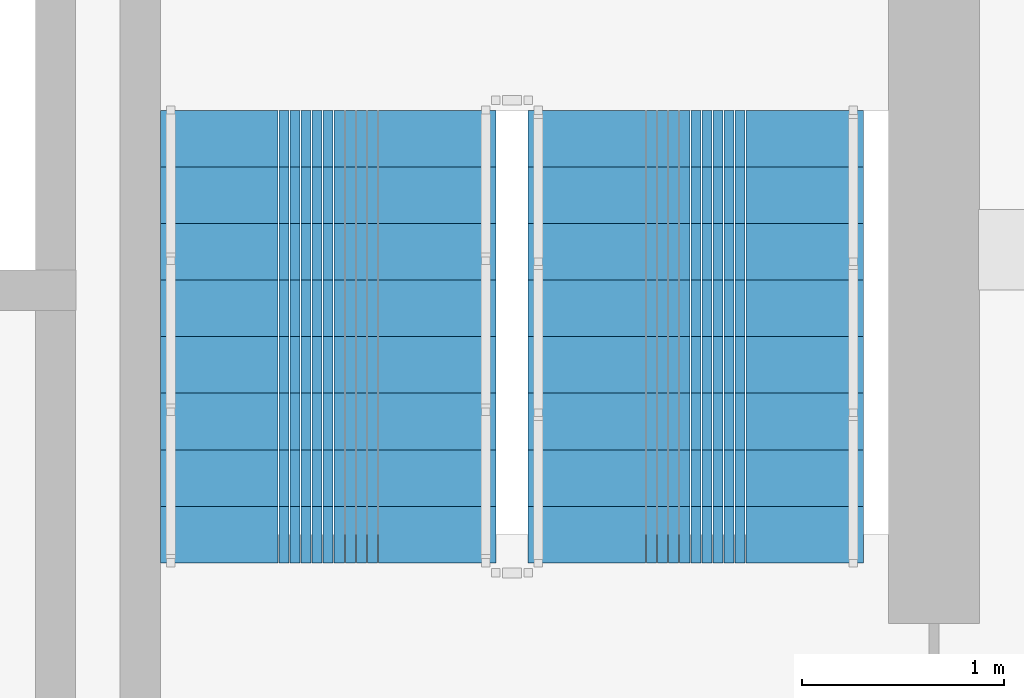
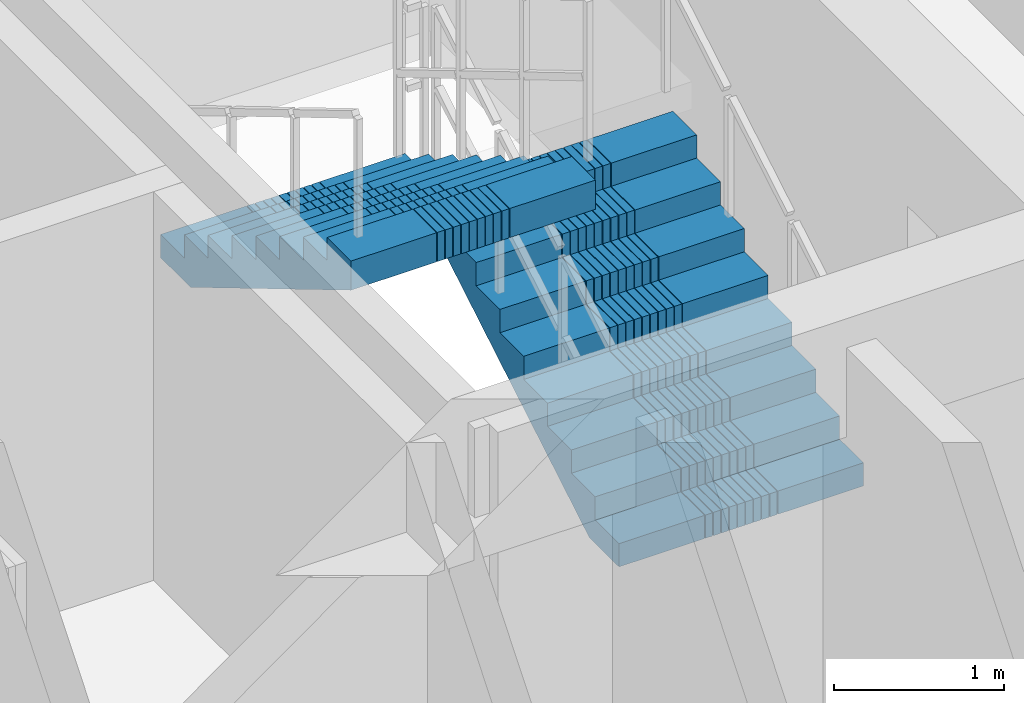
# One storey, part 7 of 12: 2 stair flights, 1 element without a shape of its own.
"""IFC4 building model written with IfcOpenShell, lengths in metres."""

from ifc_helpers import new_model, si_unit, direction, frame, origin, place, context, subcontext, project, spatial, polyline, outline, extrude, material, type_object, element, aggregate, save


model = new_model("IFC4")

# Units and contexts
model_context = context("Model", 3, precision=1e-05, world=origin(), true_north=direction((0.0, 1.0)))
body_context = subcontext(model_context, "Body", "Model", "MODEL_VIEW")
ifc_project = project(units=[si_unit("LENGTHUNIT", "METRE"), si_unit("AREAUNIT", "SQUARE_METRE"), si_unit("VOLUMEUNIT", "CUBIC_METRE"), si_unit("PLANEANGLEUNIT", "RADIAN"), si_unit("MASSUNIT", "GRAM", prefix="KILO")], contexts=[model_context])

# Site, building, storey
site_placement = place(None, origin())
site = spatial("IfcSite", under=ifc_project, at=site_placement, CompositionType="ELEMENT")
building_placement = place(site_placement, origin())
building = spatial("IfcBuilding", under=site, at=building_placement, Name="Saelheon Loggia Tower", CompositionType="ELEMENT")
storey_placement = place(building_placement, frame((0.0, 0.0, 243.0)))
storey = spatial("IfcBuildingStorey", under=building, at=storey_placement, Name="L75", CompositionType="ELEMENT", Elevation=243.0)

# Stair, stair flights
ifc_material = material(Name="Concrete C40/50", Category="concrete")
stair_type = type_object("IfcStairType", Name="Stair_Escape_Core", PredefinedType="HALF_TURN_STAIR", material=ifc_material)
stair_placement = place(storey_placement, origin())
stair = element("IfcStair", 1, at=stair_placement, inside=storey, type_object=stair_type, Name="L75 Special Escape Stair ST2", PredefinedType="HALF_TURN_STAIR")
stair_flight_type = type_object("IfcStairFlightType", Name="StairFlight_Tower_1660", PredefinedType="STRAIGHT", material=ifc_material)
stair_flight_1_placement = place(storey_placement, frame((43.320068359375, 30.449951171875, 0.0), z_axis=(0.0, 0.0, 1.0), x_axis=(0.0, 1.0, 0.0)))
stair_flight_1 = element("IfcStairFlight", 2, at=stair_flight_1_placement, type_object=stair_flight_type, Name="ST2 flight 1", NumberOfRisers=9, NumberOfTreads=8, PredefinedType="STRAIGHT", RiserHeight=0.166666667, TreadLength=0.28, context=body_context, shape_type="SweptSolid", body=[
    extrude(outline(polyline([(0.0, 0.0), (0.0, 0.166748046875), (0.280029296875, 0.166748046875), (0.280029296875, 0.333251953125), (0.56005859375, 0.333251953125), (0.56005859375, 0.5), (0.840087890625, 0.5), (0.840087890625, 0.666748046875), (1.1201171875, 0.666748046875), (1.1201171875, 0.833251953125), (1.39990234375, 0.833251953125), (1.39990234375, 1.0), (1.679931640625, 1.0), (1.679931640625, 1.166748046875), (1.9599609375, 1.166748046875), (1.9599609375, 1.333251953125), (2.239990234375, 1.333251953125), (2.239990234375, 1.5), (2.239990234375, 1.1240234375), (0.351806640625, 0.0), (0.0, 0.0)])), frame((0.0, -0.2490234375, 0.0), z_axis=(0.0, -1.0, 0.0), x_axis=(1.0, 0.0, 0.0)), (0.0, 0.0, 1.0), 0.5810546875),
    extrude(outline(polyline([(0.0, 0.0), (0.0, 0.166748046875), (0.280029296875, 0.166748046875), (0.280029296875, 0.333251953125), (0.56005859375, 0.333251953125), (0.56005859375, 0.5), (0.840087890625, 0.5), (0.840087890625, 0.666748046875), (1.1201171875, 0.666748046875), (1.1201171875, 0.833251953125), (1.39990234375, 0.833251953125), (1.39990234375, 1.0), (1.679931640625, 1.0), (1.679931640625, 1.166748046875), (1.9599609375, 1.166748046875), (1.9599609375, 1.333251953125), (2.239990234375, 1.333251953125), (2.239990234375, 1.5), (2.239990234375, 1.1240234375), (0.351806640625, 0.0), (0.0, 0.0)])), frame((0.0, -0.194091796875, 0.0), z_axis=(0.0, -1.0, 0.0), x_axis=(1.0, 0.0, 0.0)), (0.0, 0.0, 1.0), 0.0498046875),
    extrude(outline(polyline([(0.0, 0.0), (0.0, 0.166748046875), (0.280029296875, 0.166748046875), (0.280029296875, 0.333251953125), (0.56005859375, 0.333251953125), (0.56005859375, 0.5), (0.840087890625, 0.5), (0.840087890625, 0.666748046875), (1.1201171875, 0.666748046875), (1.1201171875, 0.833251953125), (1.39990234375, 0.833251953125), (1.39990234375, 1.0), (1.679931640625, 1.0), (1.679931640625, 1.166748046875), (1.9599609375, 1.166748046875), (1.9599609375, 1.333251953125), (2.239990234375, 1.333251953125), (2.239990234375, 1.5), (2.239990234375, 1.1240234375), (0.351806640625, 0.0), (0.0, 0.0)])), frame((0.0, -0.139404296875, 0.0), z_axis=(0.0, -1.0, 0.0), x_axis=(1.0, 0.0, 0.0)), (0.0, 0.0, 1.0), 0.0498046875),
    extrude(outline(polyline([(0.0, 0.0), (0.0, 0.166748046875), (0.280029296875, 0.166748046875), (0.280029296875, 0.333251953125), (0.56005859375, 0.333251953125), (0.56005859375, 0.5), (0.840087890625, 0.5), (0.840087890625, 0.666748046875), (1.1201171875, 0.666748046875), (1.1201171875, 0.833251953125), (1.39990234375, 0.833251953125), (1.39990234375, 1.0), (1.679931640625, 1.0), (1.679931640625, 1.166748046875), (1.9599609375, 1.166748046875), (1.9599609375, 1.333251953125), (2.239990234375, 1.333251953125), (2.239990234375, 1.5), (2.239990234375, 1.1240234375), (0.351806640625, 0.0), (0.0, 0.0)])), frame((0.0, -0.084716796875, 0.0), z_axis=(0.0, -1.0, 0.0), x_axis=(1.0, 0.0, 0.0)), (0.0, 0.0, 1.0), 0.0498046875),
    extrude(outline(polyline([(0.0, 0.0), (0.0, 0.166748046875), (0.280029296875, 0.166748046875), (0.280029296875, 0.333251953125), (0.56005859375, 0.333251953125), (0.56005859375, 0.5), (0.840087890625, 0.5), (0.840087890625, 0.666748046875), (1.1201171875, 0.666748046875), (1.1201171875, 0.833251953125), (1.39990234375, 0.833251953125), (1.39990234375, 1.0), (1.679931640625, 1.0), (1.679931640625, 1.166748046875), (1.9599609375, 1.166748046875), (1.9599609375, 1.333251953125), (2.239990234375, 1.333251953125), (2.239990234375, 1.5), (2.239990234375, 1.1240234375), (0.351806640625, 0.0), (0.0, 0.0)])), frame((0.0, -0.02978515625, 0.0), z_axis=(0.0, -1.0, 0.0), x_axis=(1.0, 0.0, 0.0)), (0.0, 0.0, 1.0), 0.0498046875),
    extrude(outline(polyline([(0.0, 0.0), (0.0, 0.166748046875), (0.280029296875, 0.166748046875), (0.280029296875, 0.333251953125), (0.56005859375, 0.333251953125), (0.56005859375, 0.5), (0.840087890625, 0.5), (0.840087890625, 0.666748046875), (1.1201171875, 0.666748046875), (1.1201171875, 0.833251953125), (1.39990234375, 0.833251953125), (1.39990234375, 1.0), (1.679931640625, 1.0), (1.679931640625, 1.166748046875), (1.9599609375, 1.166748046875), (1.9599609375, 1.333251953125), (2.239990234375, 1.333251953125), (2.239990234375, 1.5), (2.239990234375, 1.1240234375), (0.351806640625, 0.0), (0.0, 0.0)])), frame((0.0, 0.02490234375, 0.0), z_axis=(0.0, -1.0, 0.0), x_axis=(1.0, 0.0, 0.0)), (0.0, 0.0, 1.0), 0.0498046875),
    extrude(outline(polyline([(0.0, 0.0), (0.0, 0.166748046875), (0.280029296875, 0.166748046875), (0.280029296875, 0.333251953125), (0.56005859375, 0.333251953125), (0.56005859375, 0.5), (0.840087890625, 0.5), (0.840087890625, 0.666748046875), (1.1201171875, 0.666748046875), (1.1201171875, 0.833251953125), (1.39990234375, 0.833251953125), (1.39990234375, 1.0), (1.679931640625, 1.0), (1.679931640625, 1.166748046875), (1.9599609375, 1.166748046875), (1.9599609375, 1.333251953125), (2.239990234375, 1.333251953125), (2.239990234375, 1.5), (2.239990234375, 1.1240234375), (0.351806640625, 0.0), (0.0, 0.0)])), frame((0.0, 0.07958984375, 0.0), z_axis=(0.0, -1.0, 0.0), x_axis=(1.0, 0.0, 0.0)), (0.0, 0.0, 1.0), 0.0498046875),
    extrude(outline(polyline([(0.0, 0.0), (0.0, 0.166748046875), (0.280029296875, 0.166748046875), (0.280029296875, 0.333251953125), (0.56005859375, 0.333251953125), (0.56005859375, 0.5), (0.840087890625, 0.5), (0.840087890625, 0.666748046875), (1.1201171875, 0.666748046875), (1.1201171875, 0.833251953125), (1.39990234375, 0.833251953125), (1.39990234375, 1.0), (1.679931640625, 1.0), (1.679931640625, 1.166748046875), (1.9599609375, 1.166748046875), (1.9599609375, 1.333251953125), (2.239990234375, 1.333251953125), (2.239990234375, 1.5), (2.239990234375, 1.1240234375), (0.351806640625, 0.0), (0.0, 0.0)])), frame((0.0, 0.134521484375, 0.0), z_axis=(0.0, -1.0, 0.0), x_axis=(1.0, 0.0, 0.0)), (0.0, 0.0, 1.0), 0.0498046875),
    extrude(outline(polyline([(0.0, 0.0), (0.0, 0.166748046875), (0.280029296875, 0.166748046875), (0.280029296875, 0.333251953125), (0.56005859375, 0.333251953125), (0.56005859375, 0.5), (0.840087890625, 0.5), (0.840087890625, 0.666748046875), (1.1201171875, 0.666748046875), (1.1201171875, 0.833251953125), (1.39990234375, 0.833251953125), (1.39990234375, 1.0), (1.679931640625, 1.0), (1.679931640625, 1.166748046875), (1.9599609375, 1.166748046875), (1.9599609375, 1.333251953125), (2.239990234375, 1.333251953125), (2.239990234375, 1.5), (2.239990234375, 1.1240234375), (0.351806640625, 0.0), (0.0, 0.0)])), frame((0.0, 0.189208984375, 0.0), z_axis=(0.0, -1.0, 0.0), x_axis=(1.0, 0.0, 0.0)), (0.0, 0.0, 1.0), 0.0498046875),
    extrude(outline(polyline([(0.0, 0.0), (0.0, 0.166748046875), (0.280029296875, 0.166748046875), (0.280029296875, 0.333251953125), (0.56005859375, 0.333251953125), (0.56005859375, 0.5), (0.840087890625, 0.5), (0.840087890625, 0.666748046875), (1.1201171875, 0.666748046875), (1.1201171875, 0.833251953125), (1.39990234375, 0.833251953125), (1.39990234375, 1.0), (1.679931640625, 1.0), (1.679931640625, 1.166748046875), (1.9599609375, 1.166748046875), (1.9599609375, 1.333251953125), (2.239990234375, 1.333251953125), (2.239990234375, 1.5), (2.239990234375, 1.1240234375), (0.351806640625, 0.0), (0.0, 0.0)])), frame((0.0, 0.243896484375, 0.0), z_axis=(0.0, -1.0, 0.0), x_axis=(1.0, 0.0, 0.0)), (0.0, 0.0, 1.0), 0.0498046875),
    extrude(outline(polyline([(0.0, 0.0), (0.0, 0.166748046875), (0.280029296875, 0.166748046875), (0.280029296875, 0.333251953125), (0.56005859375, 0.333251953125), (0.56005859375, 0.5), (0.840087890625, 0.5), (0.840087890625, 0.666748046875), (1.1201171875, 0.666748046875), (1.1201171875, 0.833251953125), (1.39990234375, 0.833251953125), (1.39990234375, 1.0), (1.679931640625, 1.0), (1.679931640625, 1.166748046875), (1.9599609375, 1.166748046875), (1.9599609375, 1.333251953125), (2.239990234375, 1.333251953125), (2.239990234375, 1.5), (2.239990234375, 1.1240234375), (0.351806640625, 0.0), (0.0, 0.0)])), frame((0.0, 0.830078125, 0.0), z_axis=(0.0, -1.0, 0.0), x_axis=(1.0, 0.0, 0.0)), (0.0, 0.0, 1.0), 0.5810546875),
])
stair_flight_2_placement = place(storey_placement, frame((41.5, 32.68994140625, 1.5), z_axis=(0.0, 0.0, 1.0), x_axis=(0.0, -1.0, 0.0)))
stair_flight_2 = element("IfcStairFlight", 3, at=stair_flight_2_placement, type_object=stair_flight_type, Name="ST2 flight 2", NumberOfRisers=9, NumberOfTreads=8, PredefinedType="STRAIGHT", RiserHeight=0.166666667, TreadLength=0.28, context=body_context, shape_type="SweptSolid", body=[
    extrude(outline(polyline([(0.0, 0.0), (0.0, 0.166748046875), (0.280029296875, 0.166748046875), (0.280029296875, 0.333251953125), (0.56005859375, 0.333251953125), (0.56005859375, 0.5), (0.840087890625, 0.5), (0.840087890625, 0.666748046875), (1.1201171875, 0.666748046875), (1.1201171875, 0.833251953125), (1.39990234375, 0.833251953125), (1.39990234375, 1.0), (1.679931640625, 1.0), (1.679931640625, 1.166748046875), (1.9599609375, 1.166748046875), (1.9599609375, 1.333251953125), (2.239990234375, 1.333251953125), (2.239990234375, 1.5), (2.239990234375, 1.1240234375), (0.351806640625, 0.0), (0.0, 0.0)])), frame((0.0, -0.2490234375, 0.0), z_axis=(0.0, -1.0, 0.0), x_axis=(1.0, 0.0, 0.0)), (0.0, 0.0, 1.0), 0.5810546875),
    extrude(outline(polyline([(0.0, 0.0), (0.0, 0.166748046875), (0.280029296875, 0.166748046875), (0.280029296875, 0.333251953125), (0.56005859375, 0.333251953125), (0.56005859375, 0.5), (0.840087890625, 0.5), (0.840087890625, 0.666748046875), (1.1201171875, 0.666748046875), (1.1201171875, 0.833251953125), (1.39990234375, 0.833251953125), (1.39990234375, 1.0), (1.679931640625, 1.0), (1.679931640625, 1.166748046875), (1.9599609375, 1.166748046875), (1.9599609375, 1.333251953125), (2.239990234375, 1.333251953125), (2.239990234375, 1.5), (2.239990234375, 1.1240234375), (0.351806640625, 0.0), (0.0, 0.0)])), frame((0.0, -0.194091796875, 0.0), z_axis=(0.0, -1.0, 0.0), x_axis=(1.0, 0.0, 0.0)), (0.0, 0.0, 1.0), 0.0498046875),
    extrude(outline(polyline([(0.0, 0.0), (0.0, 0.166748046875), (0.280029296875, 0.166748046875), (0.280029296875, 0.333251953125), (0.56005859375, 0.333251953125), (0.56005859375, 0.5), (0.840087890625, 0.5), (0.840087890625, 0.666748046875), (1.1201171875, 0.666748046875), (1.1201171875, 0.833251953125), (1.39990234375, 0.833251953125), (1.39990234375, 1.0), (1.679931640625, 1.0), (1.679931640625, 1.166748046875), (1.9599609375, 1.166748046875), (1.9599609375, 1.333251953125), (2.239990234375, 1.333251953125), (2.239990234375, 1.5), (2.239990234375, 1.1240234375), (0.351806640625, 0.0), (0.0, 0.0)])), frame((0.0, -0.139404296875, 0.0), z_axis=(0.0, -1.0, 0.0), x_axis=(1.0, 0.0, 0.0)), (0.0, 0.0, 1.0), 0.0498046875),
    extrude(outline(polyline([(0.0, 0.0), (0.0, 0.166748046875), (0.280029296875, 0.166748046875), (0.280029296875, 0.333251953125), (0.56005859375, 0.333251953125), (0.56005859375, 0.5), (0.840087890625, 0.5), (0.840087890625, 0.666748046875), (1.1201171875, 0.666748046875), (1.1201171875, 0.833251953125), (1.39990234375, 0.833251953125), (1.39990234375, 1.0), (1.679931640625, 1.0), (1.679931640625, 1.166748046875), (1.9599609375, 1.166748046875), (1.9599609375, 1.333251953125), (2.239990234375, 1.333251953125), (2.239990234375, 1.5), (2.239990234375, 1.1240234375), (0.351806640625, 0.0), (0.0, 0.0)])), frame((0.0, -0.084716796875, 0.0), z_axis=(0.0, -1.0, 0.0), x_axis=(1.0, 0.0, 0.0)), (0.0, 0.0, 1.0), 0.0498046875),
    extrude(outline(polyline([(0.0, 0.0), (0.0, 0.166748046875), (0.280029296875, 0.166748046875), (0.280029296875, 0.333251953125), (0.56005859375, 0.333251953125), (0.56005859375, 0.5), (0.840087890625, 0.5), (0.840087890625, 0.666748046875), (1.1201171875, 0.666748046875), (1.1201171875, 0.833251953125), (1.39990234375, 0.833251953125), (1.39990234375, 1.0), (1.679931640625, 1.0), (1.679931640625, 1.166748046875), (1.9599609375, 1.166748046875), (1.9599609375, 1.333251953125), (2.239990234375, 1.333251953125), (2.239990234375, 1.5), (2.239990234375, 1.1240234375), (0.351806640625, 0.0), (0.0, 0.0)])), frame((0.0, -0.02978515625, 0.0), z_axis=(0.0, -1.0, 0.0), x_axis=(1.0, 0.0, 0.0)), (0.0, 0.0, 1.0), 0.0498046875),
    extrude(outline(polyline([(0.0, 0.0), (0.0, 0.166748046875), (0.280029296875, 0.166748046875), (0.280029296875, 0.333251953125), (0.56005859375, 0.333251953125), (0.56005859375, 0.5), (0.840087890625, 0.5), (0.840087890625, 0.666748046875), (1.1201171875, 0.666748046875), (1.1201171875, 0.833251953125), (1.39990234375, 0.833251953125), (1.39990234375, 1.0), (1.679931640625, 1.0), (1.679931640625, 1.166748046875), (1.9599609375, 1.166748046875), (1.9599609375, 1.333251953125), (2.239990234375, 1.333251953125), (2.239990234375, 1.5), (2.239990234375, 1.1240234375), (0.351806640625, 0.0), (0.0, 0.0)])), frame((0.0, 0.02490234375, 0.0), z_axis=(0.0, -1.0, 0.0), x_axis=(1.0, 0.0, 0.0)), (0.0, 0.0, 1.0), 0.0498046875),
    extrude(outline(polyline([(0.0, 0.0), (0.0, 0.166748046875), (0.280029296875, 0.166748046875), (0.280029296875, 0.333251953125), (0.56005859375, 0.333251953125), (0.56005859375, 0.5), (0.840087890625, 0.5), (0.840087890625, 0.666748046875), (1.1201171875, 0.666748046875), (1.1201171875, 0.833251953125), (1.39990234375, 0.833251953125), (1.39990234375, 1.0), (1.679931640625, 1.0), (1.679931640625, 1.166748046875), (1.9599609375, 1.166748046875), (1.9599609375, 1.333251953125), (2.239990234375, 1.333251953125), (2.239990234375, 1.5), (2.239990234375, 1.1240234375), (0.351806640625, 0.0), (0.0, 0.0)])), frame((0.0, 0.07958984375, 0.0), z_axis=(0.0, -1.0, 0.0), x_axis=(1.0, 0.0, 0.0)), (0.0, 0.0, 1.0), 0.0498046875),
    extrude(outline(polyline([(0.0, 0.0), (0.0, 0.166748046875), (0.280029296875, 0.166748046875), (0.280029296875, 0.333251953125), (0.56005859375, 0.333251953125), (0.56005859375, 0.5), (0.840087890625, 0.5), (0.840087890625, 0.666748046875), (1.1201171875, 0.666748046875), (1.1201171875, 0.833251953125), (1.39990234375, 0.833251953125), (1.39990234375, 1.0), (1.679931640625, 1.0), (1.679931640625, 1.166748046875), (1.9599609375, 1.166748046875), (1.9599609375, 1.333251953125), (2.239990234375, 1.333251953125), (2.239990234375, 1.5), (2.239990234375, 1.1240234375), (0.351806640625, 0.0), (0.0, 0.0)])), frame((0.0, 0.134521484375, 0.0), z_axis=(0.0, -1.0, 0.0), x_axis=(1.0, 0.0, 0.0)), (0.0, 0.0, 1.0), 0.0498046875),
    extrude(outline(polyline([(0.0, 0.0), (0.0, 0.166748046875), (0.280029296875, 0.166748046875), (0.280029296875, 0.333251953125), (0.56005859375, 0.333251953125), (0.56005859375, 0.5), (0.840087890625, 0.5), (0.840087890625, 0.666748046875), (1.1201171875, 0.666748046875), (1.1201171875, 0.833251953125), (1.39990234375, 0.833251953125), (1.39990234375, 1.0), (1.679931640625, 1.0), (1.679931640625, 1.166748046875), (1.9599609375, 1.166748046875), (1.9599609375, 1.333251953125), (2.239990234375, 1.333251953125), (2.239990234375, 1.5), (2.239990234375, 1.1240234375), (0.351806640625, 0.0), (0.0, 0.0)])), frame((0.0, 0.189208984375, 0.0), z_axis=(0.0, -1.0, 0.0), x_axis=(1.0, 0.0, 0.0)), (0.0, 0.0, 1.0), 0.0498046875),
    extrude(outline(polyline([(0.0, 0.0), (0.0, 0.166748046875), (0.280029296875, 0.166748046875), (0.280029296875, 0.333251953125), (0.56005859375, 0.333251953125), (0.56005859375, 0.5), (0.840087890625, 0.5), (0.840087890625, 0.666748046875), (1.1201171875, 0.666748046875), (1.1201171875, 0.833251953125), (1.39990234375, 0.833251953125), (1.39990234375, 1.0), (1.679931640625, 1.0), (1.679931640625, 1.166748046875), (1.9599609375, 1.166748046875), (1.9599609375, 1.333251953125), (2.239990234375, 1.333251953125), (2.239990234375, 1.5), (2.239990234375, 1.1240234375), (0.351806640625, 0.0), (0.0, 0.0)])), frame((0.0, 0.243896484375, 0.0), z_axis=(0.0, -1.0, 0.0), x_axis=(1.0, 0.0, 0.0)), (0.0, 0.0, 1.0), 0.0498046875),
    extrude(outline(polyline([(0.0, 0.0), (0.0, 0.166748046875), (0.280029296875, 0.166748046875), (0.280029296875, 0.333251953125), (0.56005859375, 0.333251953125), (0.56005859375, 0.5), (0.840087890625, 0.5), (0.840087890625, 0.666748046875), (1.1201171875, 0.666748046875), (1.1201171875, 0.833251953125), (1.39990234375, 0.833251953125), (1.39990234375, 1.0), (1.679931640625, 1.0), (1.679931640625, 1.166748046875), (1.9599609375, 1.166748046875), (1.9599609375, 1.333251953125), (2.239990234375, 1.333251953125), (2.239990234375, 1.5), (2.239990234375, 1.1240234375), (0.351806640625, 0.0), (0.0, 0.0)])), frame((0.0, 0.830078125, 0.0), z_axis=(0.0, -1.0, 0.0), x_axis=(1.0, 0.0, 0.0)), (0.0, 0.0, 1.0), 0.5810546875),
])
aggregate(stair, [stair_flight_1, stair_flight_2])

save(model, "model.ifc")
